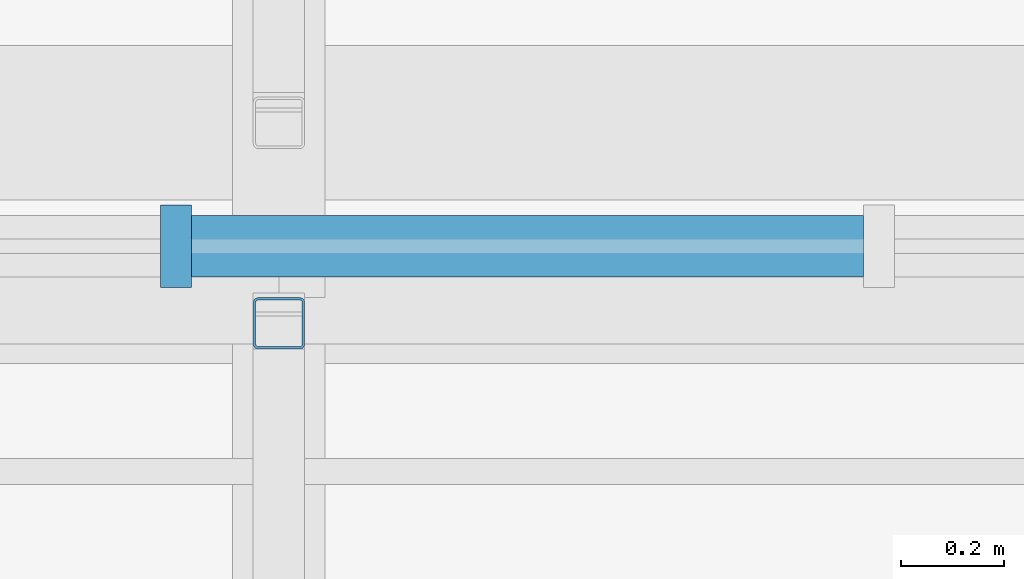
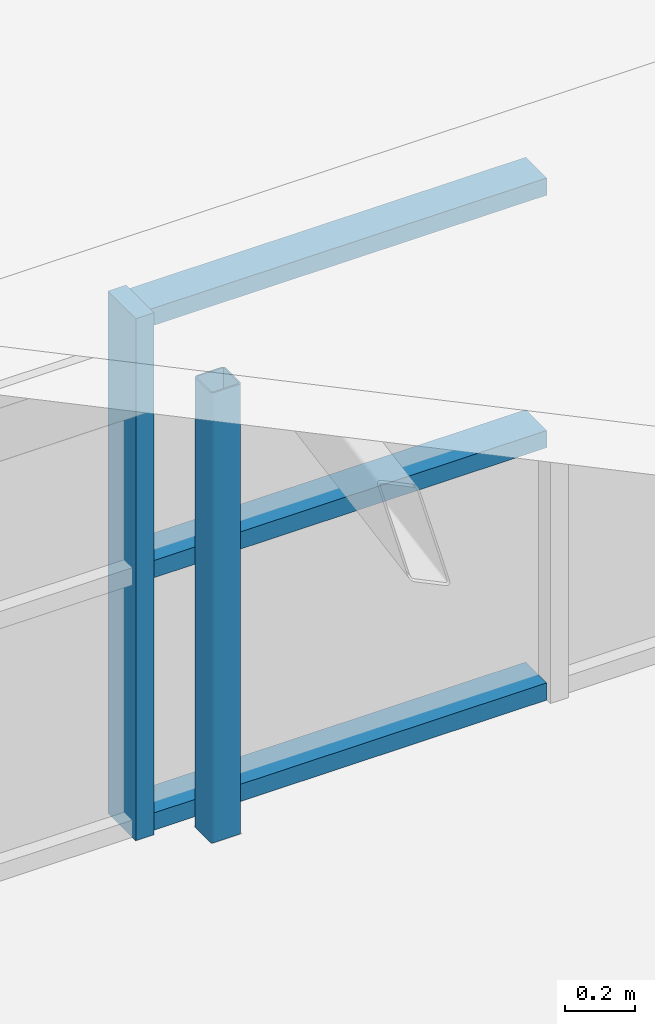
# One storey, part 5 of 42: 5 members, 1 element without a shape of its own.
"""IFC4 building model written with IfcOpenShell, lengths in metres."""

from ifc_helpers import new_model, si_unit, direction, frame, origin, origin_2d, place, context, subcontext, project, spatial, rectangle, hollow_rectangle, extrude, material, layer, layer_set, material_profile, profile_set, type_object, element, aggregate, save


model = new_model("IFC4")

# Units and contexts
model_context = context("Model", 3, precision=1e-05, world=origin(), true_north=direction((0.0, 1.0)))
body_context = subcontext(model_context, "Body", "Model", "MODEL_VIEW")
ifc_project = project(units=[si_unit("LENGTHUNIT", "METRE"), si_unit("AREAUNIT", "SQUARE_METRE"), si_unit("VOLUMEUNIT", "CUBIC_METRE"), si_unit("PLANEANGLEUNIT", "RADIAN"), si_unit("MASSUNIT", "GRAM", prefix="KILO")], contexts=[model_context])

# Site, building, storey
site_placement = place(None, origin())
site = spatial("IfcSite", under=ifc_project, at=site_placement, CompositionType="ELEMENT")
building_placement = place(site_placement, origin())
building = spatial("IfcBuilding", under=site, at=building_placement, Name="Ardhachandra Cancer Care Centre", CompositionType="ELEMENT")
storey_placement = place(building_placement, frame((0.0, 0.0, 22.5)))
storey = spatial("IfcBuildingStorey", under=building, at=storey_placement, Name="L05", CompositionType="ELEMENT", Elevation=22.5)

# Curtain wall, members
ifc_material_1 = material(Name="Aluminium extrusion", Category="aluminium")
ifc_layer = layer(ifc_material_1, 0.14990234375)
ifc_layer_set = layer_set([ifc_layer], Name="Aluminium extrusion")
curtain_wall_type = type_object("IfcCurtainWallType", Name="Curtain wall run", PredefinedType="NOTDEFINED", material=ifc_layer_set)
curtain_wall_placement = place(storey_placement, origin())
curtain_wall = element("IfcCurtainWall", 1, at=curtain_wall_placement, inside=storey, type_object=curtain_wall_type, Name="Curtain wall L05 n/0019200_0079900", PredefinedType="NOTDEFINED")
ifc_material_2 = material(Name="Aluminium extrusion", Category="aluminium")
ifc_material_profile_1 = material_profile(ifc_material_2, rectangle(XDim=0.159912109375, YDim=0.06005859375, at=origin_2d()), Name="Curtain wall mullion 60 x 160")
ifc_profile_set_1 = profile_set([ifc_material_profile_1], Name="Aluminium extrusion")
member_type_1 = type_object("IfcMemberType", Name="Curtain wall mullion 60 x 160", PredefinedType="MULLION", material=ifc_profile_set_1)
member_1_placement = place(storey_placement, frame((27.39990234375, 79.89990234375, 0.0), z_axis=(0.0, 0.0, 1.0), x_axis=(0.0, 1.0, 0.0)))
member_1 = element("IfcMember", 2, at=member_1_placement, type_object=member_type_1, Name="CW mullion 7", PredefinedType="MULLION", context=body_context, shape_type="SweptSolid", body=[
    extrude(rectangle(XDim=0.159912109375, YDim=0.06005859375, at=origin_2d()), origin(), (0.0, 0.0, 1.0), 1.820068359375),
])
ifc_material_3 = material(Name="Aluminium extrusion", Category="aluminium")
ifc_material_profile_2 = material_profile(ifc_material_3, rectangle(XDim=0.1201171875, YDim=0.06005859375, at=origin_2d()), Name="Curtain wall transom 60 x 120")
ifc_profile_set_2 = profile_set([ifc_material_profile_2], Name="Aluminium extrusion")
member_type_2 = type_object("IfcMemberType", Name="Curtain wall transom 60 x 120", PredefinedType="USERDEFINED", material=ifc_profile_set_2)
member_2_placement = place(storey_placement, frame((27.429931640625, 79.89990234375, 0.030029296875), z_axis=(1.0, 0.0, 0.0), x_axis=(0.0, 1.0, 0.0)))
member_2 = element("IfcMember", 3, at=member_2_placement, type_object=member_type_2, Name="CW transom 7.1", ObjectType="TRANSOM", PredefinedType="USERDEFINED", context=body_context, shape_type="SweptSolid", body=[
    extrude(rectangle(XDim=0.1201171875, YDim=0.06005859375, at=origin_2d()), origin(), (0.0, 0.0, 1.0), 1.306640625),
])
member_3_placement = place(storey_placement, frame((27.429931640625, 79.89990234375, 0.909912109375), z_axis=(1.0, 0.0, 0.0), x_axis=(0.0, 1.0, 0.0)))
member_3 = element("IfcMember", 4, at=member_3_placement, type_object=member_type_2, Name="CW transom 7.2", ObjectType="TRANSOM", PredefinedType="USERDEFINED", context=body_context, shape_type="SweptSolid", body=[
    extrude(rectangle(XDim=0.1201171875, YDim=0.06005859375, at=origin_2d()), origin(), (0.0, 0.0, 1.0), 1.306640625),
])
member_4_placement = place(storey_placement, frame((27.429931640625, 79.89990234375, 1.7900390625), z_axis=(1.0, 0.0, 0.0), x_axis=(0.0, 1.0, 0.0)))
member_4 = element("IfcMember", 5, at=member_4_placement, type_object=member_type_2, Name="CW transom 7.3", ObjectType="TRANSOM", PredefinedType="USERDEFINED", context=body_context, shape_type="SweptSolid", body=[
    extrude(rectangle(XDim=0.1201171875, YDim=0.06005859375, at=origin_2d()), origin(), (0.0, 0.0, 1.0), 1.306640625),
])
aggregate(curtain_wall, [member_1, member_2, member_3, member_4])

# Member
ifc_material_4 = material(Name="Steel E350 (IS 2062)", Category="steel")
ifc_material_profile_3 = material_profile(ifc_material_4, hollow_rectangle(XDim=0.10009765625, YDim=0.10009765625, WallThickness=0.0048828125, InnerFilletRadius=0.0048828125, OuterFilletRadius=0.010009765625, at=origin_2d()), Name="SHS 100x100x5.0")
ifc_profile_set_3 = profile_set([ifc_material_profile_3], Name="Steel E350 (IS 2062)")
member_type_3 = type_object("IfcMemberType", Name="Sawtooth ridge post SHS 100x100x5.0", PredefinedType="POST", material=ifc_profile_set_3)
member_5_placement = place(storey_placement, frame((27.60009765625, 79.75, 0.0), z_axis=(0.0, 0.0, 1.0), x_axis=(1.0, 0.0, 0.0)))
element("IfcMember", 6, at=member_5_placement, inside=storey, type_object=member_type_3, Name="Ridge post NT1a.2", PredefinedType="POST", context=body_context, shape_type="SweptSolid", body=[
    extrude(hollow_rectangle(XDim=0.10009765625, YDim=0.10009765625, WallThickness=0.0048828125, InnerFilletRadius=0.0048828125, OuterFilletRadius=0.010009765625, at=origin_2d()), origin(), (0.0, 0.0, 1.0), 1.569091796875),
])

save(model, "model.ifc")
